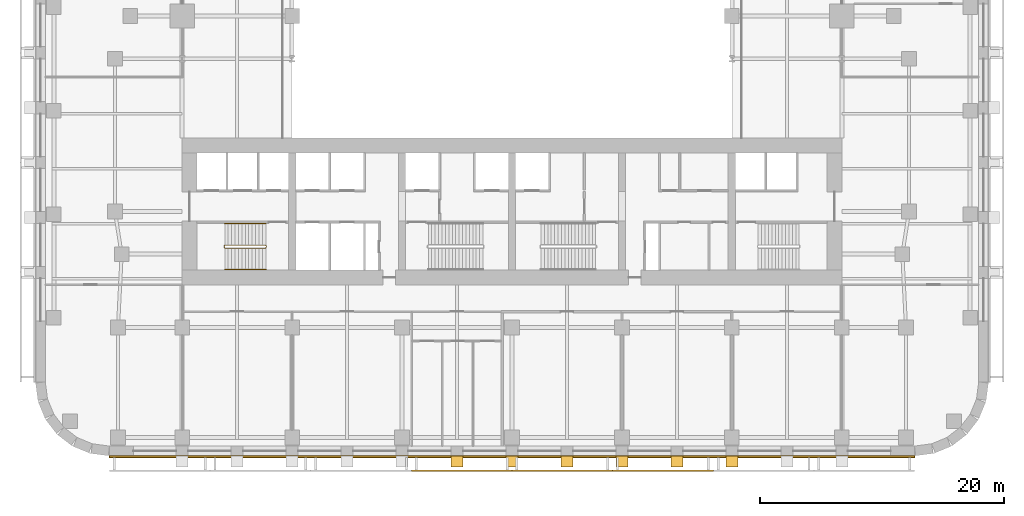
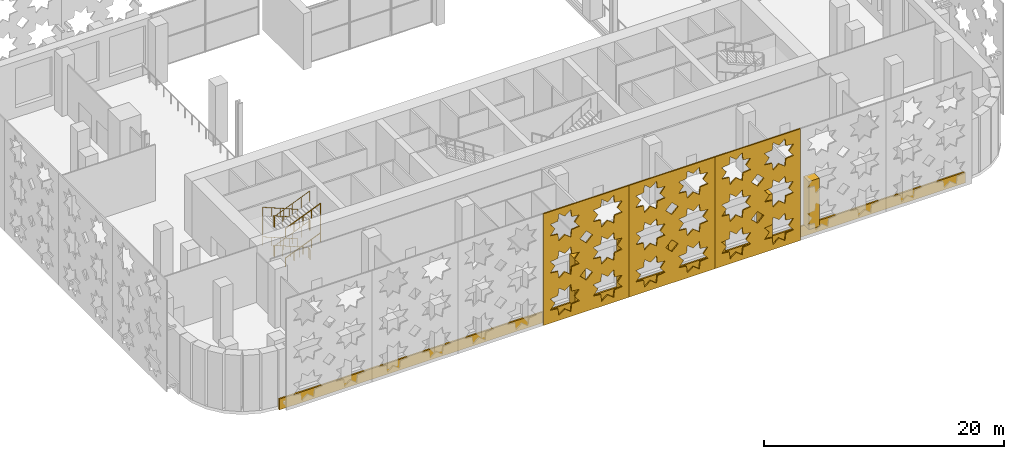
# One storey, part 12 of 17: 10 coverings, 3 railings.
"""IFC4 building model written with IfcOpenShell, lengths in metres."""

from ifc_helpers import new_model, si_unit, direction, frame, origin, origin_2d, place, context, subcontext, project, spatial, polyline, circle, outline, extrude, material, layer, layer_set, type_object, element, save


model = new_model("IFC4")

# Units and contexts
model_context = context("Model", 3, precision=1e-05, world=origin(), true_north=direction((0.0, 1.0)))
body_context = subcontext(model_context, "Body", "Model", "MODEL_VIEW")
ifc_project = project(units=[si_unit("LENGTHUNIT", "METRE"), si_unit("AREAUNIT", "SQUARE_METRE"), si_unit("VOLUMEUNIT", "CUBIC_METRE"), si_unit("PLANEANGLEUNIT", "RADIAN"), si_unit("MASSUNIT", "GRAM", prefix="KILO")], contexts=[model_context])

# Site, building, storey
site_placement = place(None, origin())
site = spatial("IfcSite", under=ifc_project, at=site_placement, CompositionType="ELEMENT")
building_placement = place(site_placement, origin())
building = spatial("IfcBuilding", under=site, at=building_placement, Name="Zellij Exchange Tower", CompositionType="ELEMENT")
storey_placement = place(building_placement, frame((0.0, 0.0, 9.0)))
storey = spatial("IfcBuildingStorey", under=building, at=storey_placement, Name="L01", CompositionType="ELEMENT", Elevation=9.0)

# Railings
ifc_material_1 = material(Name="Stainless steel", Category="steel")
railing_type_1 = type_object("IfcRailingType", Name="CORE-RG stair guard", PredefinedType="GUARDRAIL", material=ifc_material_1)
railing_1_placement = place(storey_placement, frame((-20.10009765625, -10.800048828125, 0.0)))
element("IfcRailing", 1, at=railing_1_placement, inside=storey, type_object=railing_type_1, Name="ST1 stair guard L01", PredefinedType="GUARDRAIL", context=body_context, shape_type="SweptSolid", body=[
    extrude(circle(Radius=0.02392578125, at=origin_2d()), frame((0.0, 0.0, 1.076171875), z_axis=(0.0, -1.0, 0.0), x_axis=(1.0, 0.0, 0.0)), (0.0, 0.0, 1.0), 0.14990234375),
    extrude(circle(Radius=0.02392578125, at=origin_2d()), frame((0.0, -0.14990234375, 1.076171875), z_axis=(-0.210847110147, 0.846489133385, 0.488875897547), x_axis=(-0.970351222016, -0.241699205484, 0.0)), (0.0, 0.0, 1.0), 0.236328125),
    extrude(circle(Radius=0.02392578125, at=origin_2d()), frame((-0.0498046875, 0.050048828125, 1.19140625), z_axis=(-0.924586246868, 0.0, 0.380972797064), x_axis=(0.0, -1.0, 0.0)), (0.0, 0.0, 1.0), 3.63427734375),
    extrude(circle(Radius=0.02392578125, at=origin_2d()), frame((-3.409912109375, 0.050048828125, 2.576171875), z_axis=(-0.707106781187, -0.707106781187, 0.0), x_axis=(0.707106781187, -0.707106781187, 0.0)), (0.0, 0.0, 1.0), 0.07080078125),
    extrude(circle(Radius=0.02392578125, at=origin_2d()), frame((-3.4599609375, 0.0, 2.576171875), z_axis=(0.0, -1.0, 0.0), x_axis=(1.0, 0.0, 0.0)), (0.0, 0.0, 1.0), 0.14990234375),
    extrude(circle(Radius=0.02392578125, at=origin_2d()), frame((-3.4599609375, -0.14990234375, 2.576171875), z_axis=(0.3695169537, -0.3695169537, 0.852592776099), x_axis=(0.707106781187, 0.707106781187, 0.0)), (0.0, 0.0, 1.0), 0.135498046875),
    extrude(circle(Radius=0.02392578125, at=origin_2d()), frame((-3.409912109375, -0.199951171875, 2.69140625), z_axis=(0.924586246868, 0.0, 0.380972797064), x_axis=(0.0, 1.0, 0.0)), (0.0, 0.0, 1.0), 3.63427734375),
    extrude(circle(Radius=0.02392578125, at=origin_2d()), frame((-0.0498046875, -0.199951171875, 4.076171875), z_axis=(0.241699205484, 0.970351222016, 0.0), x_axis=(-0.970351222016, 0.241699205484, 0.0)), (0.0, 0.0, 1.0), 0.2060546875),
    extrude(circle(Radius=0.02392578125, at=origin_2d()), frame((0.0, 0.0, 4.076171875), z_axis=(0.0, -1.0, 0.0), x_axis=(1.0, 0.0, 0.0)), (0.0, 0.0, 1.0), 0.14990234375),
    extrude(circle(Radius=0.02392578125, at=origin_2d()), frame((0.0, -0.14990234375, 4.076171875), z_axis=(-0.210847110147, 0.846489133385, 0.488875897547), x_axis=(-0.970351222016, -0.241699205484, 0.0)), (0.0, 0.0, 1.0), 0.236328125),
    extrude(circle(Radius=0.02392578125, at=origin_2d()), frame((-0.0498046875, 0.050048828125, 4.19140625), z_axis=(-0.924586246868, 0.0, 0.380972797064), x_axis=(0.0, -1.0, 0.0)), (0.0, 0.0, 1.0), 3.63427734375),
    extrude(circle(Radius=0.02392578125, at=origin_2d()), frame((-3.409912109375, 0.050048828125, 5.576171875), z_axis=(-0.707106781187, -0.707106781187, 0.0), x_axis=(0.707106781187, -0.707106781187, 0.0)), (0.0, 0.0, 1.0), 0.07080078125),
    extrude(circle(Radius=0.02392578125, at=origin_2d()), frame((-3.4599609375, 0.0, 5.576171875), z_axis=(0.0, -1.0, 0.0), x_axis=(1.0, 0.0, 0.0)), (0.0, 0.0, 1.0), 0.14990234375),
    extrude(circle(Radius=0.02392578125, at=origin_2d()), frame((-3.4599609375, -0.14990234375, 5.576171875), z_axis=(0.3695169537, -0.3695169537, 0.852592776099), x_axis=(0.707106781187, 0.707106781187, 0.0)), (0.0, 0.0, 1.0), 0.135498046875),
    extrude(circle(Radius=0.02392578125, at=origin_2d()), frame((-3.409912109375, -0.199951171875, 5.69140625), z_axis=(0.924586246868, 0.0, 0.380972797064), x_axis=(0.0, 1.0, 0.0)), (0.0, 0.0, 1.0), 3.63427734375),
    extrude(circle(Radius=0.02099609375, at=origin_2d()), origin(), (0.0, 0.0, 1.0), 1.052001953125),
    extrude(circle(Radius=0.02099609375, at=origin_2d()), frame((0.0, -0.14990234375, 0.0)), (0.0, 0.0, 1.0), 1.052001953125),
    extrude(circle(Radius=0.02099609375, at=origin_2d()), frame((-0.0498046875, 0.050048828125, 0.115478515625)), (0.0, 0.0, 1.0), 1.052001953125),
    extrude(circle(Radius=0.02099609375, at=origin_2d()), frame((-0.889892578125, 0.050048828125, 0.461669921875)), (0.0, 0.0, 1.0), 1.052001953125),
    extrude(circle(Radius=0.02099609375, at=origin_2d()), frame((-1.72998046875, 0.050048828125, 0.8076171875)), (0.0, 0.0, 1.0), 1.052001953125),
    extrude(circle(Radius=0.02099609375, at=origin_2d()), frame((-2.56982421875, 0.050048828125, 1.15380859375)), (0.0, 0.0, 1.0), 1.052001953125),
    extrude(circle(Radius=0.02099609375, at=origin_2d()), frame((-3.409912109375, 0.050048828125, 1.5)), (0.0, 0.0, 1.0), 1.052001953125),
    extrude(circle(Radius=0.02099609375, at=origin_2d()), frame((-3.4599609375, 0.0, 1.5)), (0.0, 0.0, 1.0), 1.052001953125),
    extrude(circle(Radius=0.02099609375, at=origin_2d()), frame((-3.4599609375, -0.14990234375, 1.5)), (0.0, 0.0, 1.0), 1.052001953125),
    extrude(circle(Radius=0.02099609375, at=origin_2d()), frame((-3.409912109375, -0.199951171875, 1.615478515625)), (0.0, 0.0, 1.0), 1.052001953125),
    extrude(circle(Radius=0.02099609375, at=origin_2d()), frame((-2.56982421875, -0.199951171875, 1.961669921875)), (0.0, 0.0, 1.0), 1.052001953125),
    extrude(circle(Radius=0.02099609375, at=origin_2d()), frame((-1.72998046875, -0.199951171875, 2.3076171875)), (0.0, 0.0, 1.0), 1.052001953125),
    extrude(circle(Radius=0.02099609375, at=origin_2d()), frame((-0.889892578125, -0.199951171875, 2.65380859375)), (0.0, 0.0, 1.0), 1.052001953125),
    extrude(circle(Radius=0.02099609375, at=origin_2d()), frame((-0.0498046875, -0.199951171875, 3.0)), (0.0, 0.0, 1.0), 1.052001953125),
    extrude(circle(Radius=0.02099609375, at=origin_2d()), frame((0.0, 0.0, 3.0)), (0.0, 0.0, 1.0), 1.052001953125),
    extrude(circle(Radius=0.02099609375, at=origin_2d()), frame((0.0, -0.14990234375, 3.0)), (0.0, 0.0, 1.0), 1.052001953125),
    extrude(circle(Radius=0.02099609375, at=origin_2d()), frame((-0.0498046875, 0.050048828125, 3.115478515625)), (0.0, 0.0, 1.0), 1.052001953125),
    extrude(circle(Radius=0.02099609375, at=origin_2d()), frame((-0.889892578125, 0.050048828125, 3.461669921875)), (0.0, 0.0, 1.0), 1.052001953125),
    extrude(circle(Radius=0.02099609375, at=origin_2d()), frame((-1.72998046875, 0.050048828125, 3.8076171875)), (0.0, 0.0, 1.0), 1.052001953125),
    extrude(circle(Radius=0.02099609375, at=origin_2d()), frame((-2.56982421875, 0.050048828125, 4.15380859375)), (0.0, 0.0, 1.0), 1.052001953125),
    extrude(circle(Radius=0.02099609375, at=origin_2d()), frame((-3.409912109375, 0.050048828125, 4.5)), (0.0, 0.0, 1.0), 1.052001953125),
    extrude(circle(Radius=0.02099609375, at=origin_2d()), frame((-3.4599609375, 0.0, 4.5)), (0.0, 0.0, 1.0), 1.052001953125),
    extrude(circle(Radius=0.02099609375, at=origin_2d()), frame((-3.4599609375, -0.14990234375, 4.5)), (0.0, 0.0, 1.0), 1.052001953125),
    extrude(circle(Radius=0.02099609375, at=origin_2d()), frame((-3.409912109375, -0.199951171875, 4.615478515625)), (0.0, 0.0, 1.0), 1.052001953125),
    extrude(circle(Radius=0.02099609375, at=origin_2d()), frame((-2.56982421875, -0.199951171875, 4.961669921875)), (0.0, 0.0, 1.0), 1.052001953125),
    extrude(circle(Radius=0.02099609375, at=origin_2d()), frame((-1.72998046875, -0.199951171875, 5.3076171875)), (0.0, 0.0, 1.0), 1.052001953125),
    extrude(circle(Radius=0.02099609375, at=origin_2d()), frame((-0.889892578125, -0.199951171875, 5.65380859375)), (0.0, 0.0, 1.0), 1.052001953125),
    extrude(circle(Radius=0.02099609375, at=origin_2d()), frame((-0.0498046875, -0.199951171875, 6.0)), (0.0, 0.0, 1.0), 1.052001953125),
])
railing_type_2 = type_object("IfcRailingType", Name="CORE-RH stair handrail", PredefinedType="HANDRAIL", material=ifc_material_1)
railing_2_placement = place(storey_placement, frame((-20.14990234375, -9.0, 0.115478515625)))
element("IfcRailing", 2, at=railing_2_placement, inside=storey, type_object=railing_type_2, Name="ST1 stair handrail L01", PredefinedType="HANDRAIL", context=body_context, shape_type="SweptSolid", body=[
    extrude(circle(Radius=0.02392578125, at=origin_2d()), frame((0.0, 0.0, 0.8759765625), z_axis=(-0.924586246868, 0.0, 0.380972797064), x_axis=(0.0, -1.0, 0.0)), (0.0, 0.0, 1.0), 3.63427734375),
    extrude(circle(Radius=0.02392578125, at=origin_2d()), frame((-3.360107421875, 0.0, 2.26025390625), z_axis=(0.0, 0.0, 1.0), x_axis=(1.0, 0.0, 0.0)), (0.0, 0.0, 1.0), 3.0),
    extrude(circle(Radius=0.02392578125, at=origin_2d()), frame((-3.360107421875, 0.0, 5.26025390625), z_axis=(0.924586246868, 0.0, -0.380972797064), x_axis=(0.0, 1.0, 0.0)), (0.0, 0.0, 1.0), 3.63427734375),
    extrude(circle(Radius=0.02099609375, at=origin_2d()), origin(), (0.0, 0.0, 1.0), 0.851806640625),
    extrude(circle(Radius=0.02099609375, at=origin_2d()), frame((-0.840087890625, 0.0, 0.34619140625)), (0.0, 0.0, 1.0), 0.851806640625),
    extrude(circle(Radius=0.02099609375, at=origin_2d()), frame((-1.68017578125, 0.0, 0.6923828125)), (0.0, 0.0, 1.0), 0.851806640625),
    extrude(circle(Radius=0.02099609375, at=origin_2d()), frame((-2.52001953125, 0.0, 1.038330078125)), (0.0, 0.0, 1.0), 0.851806640625),
    extrude(circle(Radius=0.02099609375, at=origin_2d()), frame((-3.360107421875, 0.0, 1.384521484375)), (0.0, 0.0, 1.0), 0.851806640625),
    extrude(circle(Radius=0.02099609375, at=origin_2d()), frame((-3.360107421875, 0.0, 2.384521484375)), (0.0, 0.0, 1.0), 0.851806640625),
    extrude(circle(Radius=0.02099609375, at=origin_2d()), frame((-3.360107421875, 0.0, 3.384521484375)), (0.0, 0.0, 1.0), 0.851806640625),
    extrude(circle(Radius=0.02099609375, at=origin_2d()), frame((-3.360107421875, 0.0, 4.384521484375)), (0.0, 0.0, 1.0), 0.851806640625),
    extrude(circle(Radius=0.02099609375, at=origin_2d()), frame((-2.52001953125, 0.0, 4.038330078125)), (0.0, 0.0, 1.0), 0.851806640625),
    extrude(circle(Radius=0.02099609375, at=origin_2d()), frame((-1.68017578125, 0.0, 3.6923828125)), (0.0, 0.0, 1.0), 0.851806640625),
    extrude(circle(Radius=0.02099609375, at=origin_2d()), frame((-0.840087890625, 0.0, 3.34619140625)), (0.0, 0.0, 1.0), 0.851806640625),
    extrude(circle(Radius=0.02099609375, at=origin_2d()), frame((0.0, 0.0, 3.0)), (0.0, 0.0, 1.0), 0.851806640625),
])
railing_3_placement = place(storey_placement, frame((-23.510009765625, -12.75, 1.615478515625)))
element("IfcRailing", 3, at=railing_3_placement, inside=storey, type_object=railing_type_2, Name="ST1 stair handrail L01", PredefinedType="HANDRAIL", context=body_context, shape_type="SweptSolid", body=[
    extrude(circle(Radius=0.02392578125, at=origin_2d()), frame((0.0, 0.0, 0.8759765625), z_axis=(0.924586246868, 0.0, 0.380972797064), x_axis=(0.0, 1.0, 0.0)), (0.0, 0.0, 1.0), 3.63427734375),
    extrude(circle(Radius=0.02392578125, at=origin_2d()), frame((3.360107421875, 0.0, 2.26025390625), z_axis=(0.0, 0.0, 1.0), x_axis=(1.0, 0.0, 0.0)), (0.0, 0.0, 1.0), 3.0),
    extrude(circle(Radius=0.02392578125, at=origin_2d()), frame((3.360107421875, 0.0, 5.26025390625), z_axis=(-0.924586246868, 0.0, -0.380972797064), x_axis=(0.0, -1.0, 0.0)), (0.0, 0.0, 1.0), 3.63427734375),
    extrude(circle(Radius=0.02099609375, at=origin_2d()), origin(), (0.0, 0.0, 1.0), 0.851806640625),
    extrude(circle(Radius=0.02099609375, at=origin_2d()), frame((0.840087890625, 0.0, 0.34619140625)), (0.0, 0.0, 1.0), 0.851806640625),
    extrude(circle(Radius=0.02099609375, at=origin_2d()), frame((1.68017578125, 0.0, 0.6923828125)), (0.0, 0.0, 1.0), 0.851806640625),
    extrude(circle(Radius=0.02099609375, at=origin_2d()), frame((2.52001953125, 0.0, 1.038330078125)), (0.0, 0.0, 1.0), 0.851806640625),
    extrude(circle(Radius=0.02099609375, at=origin_2d()), frame((3.360107421875, 0.0, 1.384521484375)), (0.0, 0.0, 1.0), 0.851806640625),
    extrude(circle(Radius=0.02099609375, at=origin_2d()), frame((3.360107421875, 0.0, 2.384521484375)), (0.0, 0.0, 1.0), 0.851806640625),
    extrude(circle(Radius=0.02099609375, at=origin_2d()), frame((3.360107421875, 0.0, 3.384521484375)), (0.0, 0.0, 1.0), 0.851806640625),
    extrude(circle(Radius=0.02099609375, at=origin_2d()), frame((3.360107421875, 0.0, 4.384521484375)), (0.0, 0.0, 1.0), 0.851806640625),
    extrude(circle(Radius=0.02099609375, at=origin_2d()), frame((2.52001953125, 0.0, 4.038330078125)), (0.0, 0.0, 1.0), 0.851806640625),
    extrude(circle(Radius=0.02099609375, at=origin_2d()), frame((1.68017578125, 0.0, 3.6923828125)), (0.0, 0.0, 1.0), 0.851806640625),
    extrude(circle(Radius=0.02099609375, at=origin_2d()), frame((0.840087890625, 0.0, 3.34619140625)), (0.0, 0.0, 1.0), 0.851806640625),
    extrude(circle(Radius=0.02099609375, at=origin_2d()), frame((0.0, 0.0, 3.0)), (0.0, 0.0, 1.0), 0.851806640625),
])

# Coverings
ifc_material_2 = material(Name="Limestone cladding", Category="masonry")
ifc_layer_1 = layer(ifc_material_2, 0.14990234375)
ifc_layer_set_1 = layer_set([ifc_layer_1], Name="Limestone cladding")
covering_type_1 = type_object("IfcCoveringType", Name="ENV-CV1 Stone spandrel band 150", PredefinedType="CLADDING", material=ifc_layer_set_1)
covering_1_placement = place(storey_placement, frame((0.0, 0.0, -0.300048828125)))
element("IfcCovering", 4, at=covering_1_placement, inside=storey, type_object=covering_type_1, Name="Stone spandrel band", PredefinedType="CLADDING", context=body_context, shape_type="SweptSolid", body=[
    extrude(outline(polyline([(-32.973876953125, -28.0), (32.973876953125, -28.0), (32.983642578125, -28.14990234375), (-32.983642578125, -28.14990234375), (-32.973876953125, -28.0)])), origin(), (0.0, 0.0, 1.0), 1.10009765625),
])
covering_type_2 = type_object("IfcCoveringType", Name="ENV-CV2 Stone pier 1000x900", PredefinedType="CLADDING", material=ifc_material_2)
covering_2_placement = place(storey_placement, frame((0.0, 0.0, 0.800048828125)))
element("IfcCovering", 5, at=covering_2_placement, inside=storey, type_object=covering_type_2, Name="Stone pier", PredefinedType="CLADDING", context=body_context, shape_type="SweptSolid", body=[
    extrude(outline(polyline([(-5.0, -28.0), (-4.0, -28.0), (-4.0, -28.89990234375), (-5.0, -28.89990234375), (-5.0, -28.0)])), origin(), (0.0, 0.0, 1.0), 4.89990234375),
])
covering_3_placement = place(storey_placement, frame((0.0, 0.0, 0.800048828125)))
element("IfcCovering", 6, at=covering_3_placement, inside=storey, type_object=covering_type_2, Name="Stone pier", PredefinedType="CLADDING", context=body_context, shape_type="SweptSolid", body=[
    extrude(outline(polyline([(-0.5, -28.0), (0.5, -28.0), (0.5, -28.89990234375), (-0.5, -28.89990234375), (-0.5, -28.0)])), origin(), (0.0, 0.0, 1.0), 4.89990234375),
])
covering_4_placement = place(storey_placement, frame((0.0, 0.0, 0.800048828125)))
element("IfcCovering", 7, at=covering_4_placement, inside=storey, type_object=covering_type_2, Name="Stone pier", PredefinedType="CLADDING", context=body_context, shape_type="SweptSolid", body=[
    extrude(outline(polyline([(4.0, -28.0), (5.0, -28.0), (5.0, -28.89990234375), (4.0, -28.89990234375), (4.0, -28.0)])), origin(), (0.0, 0.0, 1.0), 4.89990234375),
])
covering_5_placement = place(storey_placement, frame((0.0, 0.0, 0.800048828125)))
element("IfcCovering", 8, at=covering_5_placement, inside=storey, type_object=covering_type_2, Name="Stone pier", PredefinedType="CLADDING", context=body_context, shape_type="SweptSolid", body=[
    extrude(outline(polyline([(8.5, -28.0), (9.5, -28.0), (9.5, -28.89990234375), (8.5, -28.89990234375), (8.5, -28.0)])), origin(), (0.0, 0.0, 1.0), 4.89990234375),
])
covering_6_placement = place(storey_placement, frame((0.0, 0.0, 0.800048828125)))
element("IfcCovering", 9, at=covering_6_placement, inside=storey, type_object=covering_type_2, Name="Stone pier", PredefinedType="CLADDING", context=body_context, shape_type="SweptSolid", body=[
    extrude(outline(polyline([(13.0, -28.0), (14.0, -28.0), (14.0, -28.89990234375), (13.0, -28.89990234375), (13.0, -28.0)])), origin(), (0.0, 0.0, 1.0), 4.89990234375),
])
covering_7_placement = place(storey_placement, frame((0.0, 0.0, 0.800048828125)))
element("IfcCovering", 10, at=covering_7_placement, inside=storey, type_object=covering_type_2, Name="Stone pier", PredefinedType="CLADDING", context=body_context, shape_type="SweptSolid", body=[
    extrude(outline(polyline([(17.5, -28.0), (18.5, -28.0), (18.5, -28.89990234375), (17.5, -28.89990234375), (17.5, -28.0)])), origin(), (0.0, 0.0, 1.0), 4.89990234375),
])
ifc_material_3 = material(Name="Limestone screen", Category="masonry")
ifc_layer_2 = layer(ifc_material_3, 0.1201171875)
ifc_layer_set_2 = layer_set([ifc_layer_2], Name="Limestone screen")
covering_type_3 = type_object("IfcCoveringType", Name="ENV-SC1 Pierced stone screen 120", PredefinedType="USERDEFINED", material=ifc_layer_set_2)
covering_8_placement = place(storey_placement, frame((-8.23681640625, -29.2099609375, 0.300048828125), z_axis=(0.0, 0.0, 1.0), x_axis=(1.0, 0.0, 0.0)))
element("IfcCovering", 11, at=covering_8_placement, inside=storey, type_object=covering_type_3, Name="Pierced stone screen", ObjectType="SCREEN", PredefinedType="USERDEFINED", context=body_context, shape_type="SweptSolid", body=[
    extrude(outline(polyline([(0.0, 0.0), (8.23681640625, 0.0), (8.23681640625, 11.35009765625), (0.0, 11.35009765625), (0.0, 0.0)]), holes=[polyline([(3.45751953125, 2.470703125), (2.72265625, 2.55517578125), (2.638427734375, 3.289794921875), (2.05908203125, 2.829833984375), (1.47998046875, 3.289794921875), (1.395751953125, 2.55517578125), (0.6611328125, 2.470703125), (1.12109375, 1.8916015625), (0.6611328125, 1.3125), (1.395751953125, 1.228271484375), (1.47998046875, 0.493408203125), (2.05908203125, 0.953369140625), (2.638427734375, 0.493408203125), (2.72265625, 1.228271484375), (3.45751953125, 1.3125), (2.99755859375, 1.8916015625), (3.45751953125, 2.470703125)]), polyline([(3.45751953125, 6.254150390625), (2.72265625, 6.33837890625), (2.638427734375, 7.072998046875), (2.05908203125, 6.61328125), (1.47998046875, 7.072998046875), (1.395751953125, 6.33837890625), (0.6611328125, 6.254150390625), (1.12109375, 5.675048828125), (0.6611328125, 5.095947265625), (1.395751953125, 5.011474609375), (1.47998046875, 4.27685546875), (2.05908203125, 4.73681640625), (2.638427734375, 4.27685546875), (2.72265625, 5.011474609375), (3.45751953125, 5.095947265625), (2.99755859375, 5.675048828125), (3.45751953125, 6.254150390625)]), polyline([(3.45751953125, 10.03759765625), (2.72265625, 10.121826171875), (2.638427734375, 10.8564453125), (2.05908203125, 10.396484375), (1.47998046875, 10.8564453125), (1.395751953125, 10.121826171875), (0.6611328125, 10.03759765625), (1.12109375, 9.458251953125), (0.6611328125, 8.879150390625), (1.395751953125, 8.794921875), (1.47998046875, 8.060302734375), (2.05908203125, 8.52001953125), (2.638427734375, 8.060302734375), (2.72265625, 8.794921875), (3.45751953125, 8.879150390625), (2.99755859375, 9.458251953125), (3.45751953125, 10.03759765625)]), polyline([(7.57568359375, 2.470703125), (6.841064453125, 2.55517578125), (6.7568359375, 3.289794921875), (6.177734375, 2.829833984375), (5.598388671875, 3.289794921875), (5.51416015625, 2.55517578125), (4.779541015625, 2.470703125), (5.239501953125, 1.8916015625), (4.779541015625, 1.3125), (5.51416015625, 1.228271484375), (5.598388671875, 0.493408203125), (6.177734375, 0.953369140625), (6.7568359375, 0.493408203125), (6.841064453125, 1.228271484375), (7.57568359375, 1.3125), (7.115966796875, 1.8916015625), (7.57568359375, 2.470703125)]), polyline([(7.57568359375, 6.254150390625), (6.841064453125, 6.33837890625), (6.7568359375, 7.072998046875), (6.177734375, 6.61328125), (5.598388671875, 7.072998046875), (5.51416015625, 6.33837890625), (4.779541015625, 6.254150390625), (5.239501953125, 5.675048828125), (4.779541015625, 5.095947265625), (5.51416015625, 5.011474609375), (5.598388671875, 4.27685546875), (6.177734375, 4.73681640625), (6.7568359375, 4.27685546875), (6.841064453125, 5.011474609375), (7.57568359375, 5.095947265625), (7.115966796875, 5.675048828125), (7.57568359375, 6.254150390625)]), polyline([(7.57568359375, 10.03759765625), (6.841064453125, 10.121826171875), (6.7568359375, 10.8564453125), (6.177734375, 10.396484375), (5.598388671875, 10.8564453125), (5.51416015625, 10.121826171875), (4.779541015625, 10.03759765625), (5.239501953125, 9.458251953125), (4.779541015625, 8.879150390625), (5.51416015625, 8.794921875), (5.598388671875, 8.060302734375), (6.177734375, 8.52001953125), (6.7568359375, 8.060302734375), (6.841064453125, 8.794921875), (7.57568359375, 8.879150390625), (7.115966796875, 9.458251953125), (7.57568359375, 10.03759765625)]), polyline([(4.723876953125, 3.783203125), (4.118408203125, 4.388671875), (3.51318359375, 3.783203125), (4.118408203125, 3.177978515625), (4.723876953125, 3.783203125)]), polyline([(4.723876953125, 7.566650390625), (4.118408203125, 8.172119140625), (3.51318359375, 7.566650390625), (4.118408203125, 6.961181640625), (4.723876953125, 7.566650390625)])]), frame((0.0, 0.06005859375, 0.0), z_axis=(0.0, -1.0, 0.0), x_axis=(1.0, 0.0, 0.0)), (0.0, 0.0, 1.0), 0.1201171875),
])
covering_9_placement = place(storey_placement, frame((0.0, -29.2099609375, 0.300048828125), z_axis=(0.0, 0.0, 1.0), x_axis=(1.0, 0.0, 0.0)))
element("IfcCovering", 12, at=covering_9_placement, inside=storey, type_object=covering_type_3, Name="Pierced stone screen", ObjectType="SCREEN", PredefinedType="USERDEFINED", context=body_context, shape_type="SweptSolid", body=[
    extrude(outline(polyline([(0.0, 0.0), (8.23681640625, 0.0), (8.23681640625, 11.35009765625), (0.0, 11.35009765625), (0.0, 0.0)]), holes=[polyline([(3.45751953125, 2.470703125), (2.72265625, 2.55517578125), (2.638427734375, 3.289794921875), (2.05908203125, 2.829833984375), (1.47998046875, 3.289794921875), (1.395751953125, 2.55517578125), (0.6611328125, 2.470703125), (1.12109375, 1.8916015625), (0.6611328125, 1.3125), (1.395751953125, 1.228271484375), (1.47998046875, 0.493408203125), (2.05908203125, 0.953369140625), (2.638427734375, 0.493408203125), (2.72265625, 1.228271484375), (3.45751953125, 1.3125), (2.99755859375, 1.8916015625), (3.45751953125, 2.470703125)]), polyline([(3.45751953125, 6.254150390625), (2.72265625, 6.33837890625), (2.638427734375, 7.072998046875), (2.05908203125, 6.61328125), (1.47998046875, 7.072998046875), (1.395751953125, 6.33837890625), (0.6611328125, 6.254150390625), (1.12109375, 5.675048828125), (0.6611328125, 5.095947265625), (1.395751953125, 5.011474609375), (1.47998046875, 4.27685546875), (2.05908203125, 4.73681640625), (2.638427734375, 4.27685546875), (2.72265625, 5.011474609375), (3.45751953125, 5.095947265625), (2.99755859375, 5.675048828125), (3.45751953125, 6.254150390625)]), polyline([(3.45751953125, 10.03759765625), (2.72265625, 10.121826171875), (2.638427734375, 10.8564453125), (2.05908203125, 10.396484375), (1.47998046875, 10.8564453125), (1.395751953125, 10.121826171875), (0.6611328125, 10.03759765625), (1.12109375, 9.458251953125), (0.6611328125, 8.879150390625), (1.395751953125, 8.794921875), (1.47998046875, 8.060302734375), (2.05908203125, 8.52001953125), (2.638427734375, 8.060302734375), (2.72265625, 8.794921875), (3.45751953125, 8.879150390625), (2.99755859375, 9.458251953125), (3.45751953125, 10.03759765625)]), polyline([(7.57568359375, 2.470703125), (6.841064453125, 2.55517578125), (6.7568359375, 3.289794921875), (6.177734375, 2.829833984375), (5.598388671875, 3.289794921875), (5.51416015625, 2.55517578125), (4.779541015625, 2.470703125), (5.239501953125, 1.8916015625), (4.779541015625, 1.3125), (5.51416015625, 1.228271484375), (5.598388671875, 0.493408203125), (6.177734375, 0.953369140625), (6.7568359375, 0.493408203125), (6.841064453125, 1.228271484375), (7.57568359375, 1.3125), (7.115966796875, 1.8916015625), (7.57568359375, 2.470703125)]), polyline([(7.57568359375, 6.254150390625), (6.841064453125, 6.33837890625), (6.7568359375, 7.072998046875), (6.177734375, 6.61328125), (5.598388671875, 7.072998046875), (5.51416015625, 6.33837890625), (4.779541015625, 6.254150390625), (5.239501953125, 5.675048828125), (4.779541015625, 5.095947265625), (5.51416015625, 5.011474609375), (5.598388671875, 4.27685546875), (6.177734375, 4.73681640625), (6.7568359375, 4.27685546875), (6.841064453125, 5.011474609375), (7.57568359375, 5.095947265625), (7.115966796875, 5.675048828125), (7.57568359375, 6.254150390625)]), polyline([(7.57568359375, 10.03759765625), (6.841064453125, 10.121826171875), (6.7568359375, 10.8564453125), (6.177734375, 10.396484375), (5.598388671875, 10.8564453125), (5.51416015625, 10.121826171875), (4.779541015625, 10.03759765625), (5.239501953125, 9.458251953125), (4.779541015625, 8.879150390625), (5.51416015625, 8.794921875), (5.598388671875, 8.060302734375), (6.177734375, 8.52001953125), (6.7568359375, 8.060302734375), (6.841064453125, 8.794921875), (7.57568359375, 8.879150390625), (7.115966796875, 9.458251953125), (7.57568359375, 10.03759765625)]), polyline([(4.723876953125, 3.783203125), (4.118408203125, 4.388671875), (3.51318359375, 3.783203125), (4.118408203125, 3.177978515625), (4.723876953125, 3.783203125)]), polyline([(4.723876953125, 7.566650390625), (4.118408203125, 8.172119140625), (3.51318359375, 7.566650390625), (4.118408203125, 6.961181640625), (4.723876953125, 7.566650390625)])]), frame((0.0, 0.06005859375, 0.0), z_axis=(0.0, -1.0, 0.0), x_axis=(1.0, 0.0, 0.0)), (0.0, 0.0, 1.0), 0.1201171875),
])
covering_10_placement = place(storey_placement, frame((8.23681640625, -29.2099609375, 0.300048828125), z_axis=(0.0, 0.0, 1.0), x_axis=(1.0, 0.0, 0.0)))
element("IfcCovering", 13, at=covering_10_placement, inside=storey, type_object=covering_type_3, Name="Pierced stone screen", ObjectType="SCREEN", PredefinedType="USERDEFINED", context=body_context, shape_type="SweptSolid", body=[
    extrude(outline(polyline([(0.0, 0.0), (8.23681640625, 0.0), (8.23681640625, 11.35009765625), (0.0, 11.35009765625), (0.0, 0.0)]), holes=[polyline([(3.45751953125, 2.470703125), (2.72265625, 2.55517578125), (2.638427734375, 3.289794921875), (2.05908203125, 2.829833984375), (1.47998046875, 3.289794921875), (1.395751953125, 2.55517578125), (0.6611328125, 2.470703125), (1.12109375, 1.8916015625), (0.6611328125, 1.3125), (1.395751953125, 1.228271484375), (1.47998046875, 0.493408203125), (2.05908203125, 0.953369140625), (2.638427734375, 0.493408203125), (2.72265625, 1.228271484375), (3.45751953125, 1.3125), (2.99755859375, 1.8916015625), (3.45751953125, 2.470703125)]), polyline([(3.45751953125, 6.254150390625), (2.72265625, 6.33837890625), (2.638427734375, 7.072998046875), (2.05908203125, 6.61328125), (1.47998046875, 7.072998046875), (1.395751953125, 6.33837890625), (0.6611328125, 6.254150390625), (1.12109375, 5.675048828125), (0.6611328125, 5.095947265625), (1.395751953125, 5.011474609375), (1.47998046875, 4.27685546875), (2.05908203125, 4.73681640625), (2.638427734375, 4.27685546875), (2.72265625, 5.011474609375), (3.45751953125, 5.095947265625), (2.99755859375, 5.675048828125), (3.45751953125, 6.254150390625)]), polyline([(3.45751953125, 10.03759765625), (2.72265625, 10.121826171875), (2.638427734375, 10.8564453125), (2.05908203125, 10.396484375), (1.47998046875, 10.8564453125), (1.395751953125, 10.121826171875), (0.6611328125, 10.03759765625), (1.12109375, 9.458251953125), (0.6611328125, 8.879150390625), (1.395751953125, 8.794921875), (1.47998046875, 8.060302734375), (2.05908203125, 8.52001953125), (2.638427734375, 8.060302734375), (2.72265625, 8.794921875), (3.45751953125, 8.879150390625), (2.99755859375, 9.458251953125), (3.45751953125, 10.03759765625)]), polyline([(7.57568359375, 2.470703125), (6.841064453125, 2.55517578125), (6.7568359375, 3.289794921875), (6.177734375, 2.829833984375), (5.598388671875, 3.289794921875), (5.51416015625, 2.55517578125), (4.779541015625, 2.470703125), (5.239501953125, 1.8916015625), (4.779541015625, 1.3125), (5.51416015625, 1.228271484375), (5.598388671875, 0.493408203125), (6.177734375, 0.953369140625), (6.7568359375, 0.493408203125), (6.841064453125, 1.228271484375), (7.57568359375, 1.3125), (7.115966796875, 1.8916015625), (7.57568359375, 2.470703125)]), polyline([(7.57568359375, 6.254150390625), (6.841064453125, 6.33837890625), (6.7568359375, 7.072998046875), (6.177734375, 6.61328125), (5.598388671875, 7.072998046875), (5.51416015625, 6.33837890625), (4.779541015625, 6.254150390625), (5.239501953125, 5.675048828125), (4.779541015625, 5.095947265625), (5.51416015625, 5.011474609375), (5.598388671875, 4.27685546875), (6.177734375, 4.73681640625), (6.7568359375, 4.27685546875), (6.841064453125, 5.011474609375), (7.57568359375, 5.095947265625), (7.115966796875, 5.675048828125), (7.57568359375, 6.254150390625)]), polyline([(7.57568359375, 10.03759765625), (6.841064453125, 10.121826171875), (6.7568359375, 10.8564453125), (6.177734375, 10.396484375), (5.598388671875, 10.8564453125), (5.51416015625, 10.121826171875), (4.779541015625, 10.03759765625), (5.239501953125, 9.458251953125), (4.779541015625, 8.879150390625), (5.51416015625, 8.794921875), (5.598388671875, 8.060302734375), (6.177734375, 8.52001953125), (6.7568359375, 8.060302734375), (6.841064453125, 8.794921875), (7.57568359375, 8.879150390625), (7.115966796875, 9.458251953125), (7.57568359375, 10.03759765625)]), polyline([(4.723876953125, 3.783203125), (4.118408203125, 4.388671875), (3.51318359375, 3.783203125), (4.118408203125, 3.177978515625), (4.723876953125, 3.783203125)]), polyline([(4.723876953125, 7.566650390625), (4.118408203125, 8.172119140625), (3.51318359375, 7.566650390625), (4.118408203125, 6.961181640625), (4.723876953125, 7.566650390625)])]), frame((0.0, 0.06005859375, 0.0), z_axis=(0.0, -1.0, 0.0), x_axis=(1.0, 0.0, 0.0)), (0.0, 0.0, 1.0), 0.1201171875),
])

save(model, "model.ifc")
